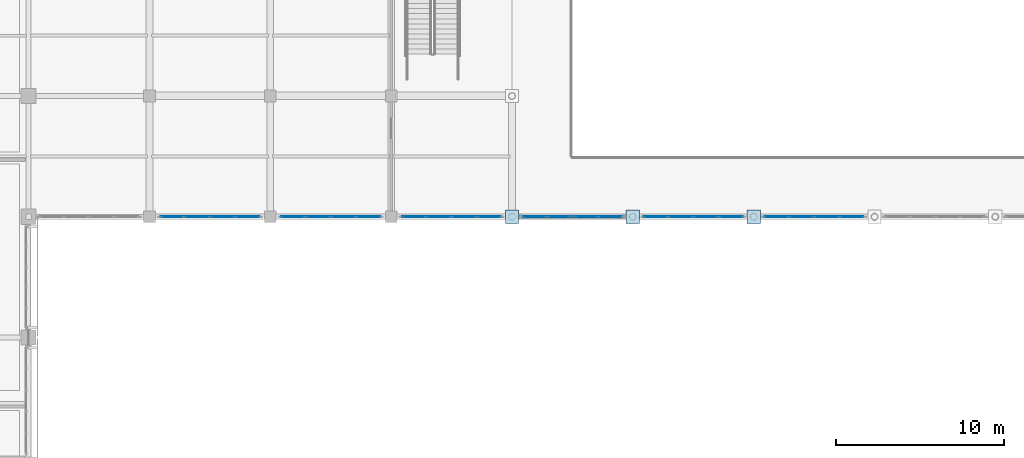
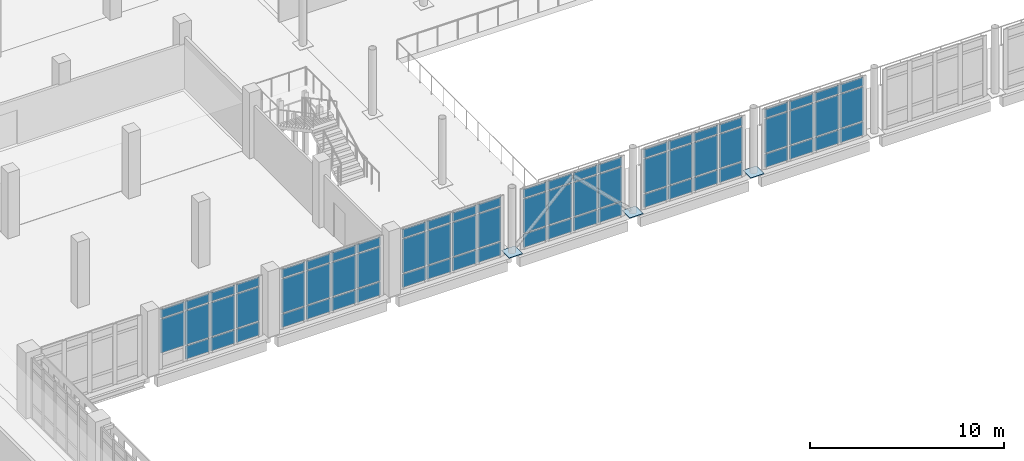
# One storey, part 28 of 62: 74 plates, 6 elements without a shape of their own.
"""IFC4 building model written with IfcOpenShell, lengths in metres."""

from ifc_helpers import new_model, si_unit, direction, frame, origin, origin_2d, place, context, subcontext, project, spatial, rectangle, extrude, material, layer, layer_set, type_object, element, aggregate, save


model = new_model("IFC4")

# Units and contexts
model_context = context("Model", 3, precision=1e-05, world=origin(), true_north=direction((0.0, 1.0)))
body_context = subcontext(model_context, "Body", "Model", "MODEL_VIEW")
ifc_project = project(units=[si_unit("LENGTHUNIT", "METRE"), si_unit("AREAUNIT", "SQUARE_METRE"), si_unit("VOLUMEUNIT", "CUBIC_METRE"), si_unit("PLANEANGLEUNIT", "RADIAN"), si_unit("MASSUNIT", "GRAM", prefix="KILO")], contexts=[model_context])

# Site, building, storey
site_placement = place(None, origin())
site = spatial("IfcSite", under=ifc_project, at=site_placement, CompositionType="ELEMENT")
building_placement = place(site_placement, origin())
building = spatial("IfcBuilding", under=site, at=building_placement, Name="Valkovuoma Quantum and Materials Research Institute", CompositionType="ELEMENT")
storey_placement = place(building_placement, frame((0.0, 0.0, 8.9599609375)))
storey = spatial("IfcBuildingStorey", under=building, at=storey_placement, Name="L02", CompositionType="ELEMENT", Elevation=8.9599609375)

# Curtain wall, plates
ifc_material_1 = material(Name="Thermally broken aluminium and triple low-E glazing", Category="aluminium")
ifc_layer_1 = layer(ifc_material_1, 0.219970703125)
ifc_layer_set_1 = layer_set([ifc_layer_1], Name="Thermally broken aluminium and triple low-E glazing")
curtain_wall_type = type_object("IfcCurtainWallType", Name="CW-CW-02", PredefinedType="NOTDEFINED", material=ifc_layer_set_1)
curtain_wall_1_placement = place(storey_placement, origin())
curtain_wall_1 = element("IfcCurtainWall", 1, at=curtain_wall_1_placement, inside=storey, type_object=curtain_wall_type, Name="L02 curtain wall 180", PredefinedType="NOTDEFINED")
ifc_material_2 = material(Name="Triple low-E argon insulating glass", Category="glass")
ifc_layer_2 = layer(ifc_material_2, 0.048095703125)
ifc_layer_set_2 = layer_set([ifc_layer_2], Name="Triple low-E argon insulating glass")
plate_type_1 = type_object("IfcPlateType", Name="CWPanel-CWP-03", PredefinedType="CURTAIN_PANEL", material=ifc_layer_set_2)
plate_1_placement = place(storey_placement, frame((22.955078125, 36.0, 0.9873046875), z_axis=(0.0, 0.0, 1.0), x_axis=(1.0, 0.0, 0.0)))
plate_1 = element("IfcPlate", 2, at=plate_1_placement, type_object=plate_type_1, Name="CW-02 panel 1.2", PredefinedType="CURTAIN_PANEL", context=body_context, shape_type="SweptSolid", body=[
    extrude(rectangle(XDim=1.389892578125, YDim=0.048095703125, at=origin_2d()), origin(), (0.0, 0.0, 1.0), 2.135009765625),
])
plate_2_placement = place(storey_placement, frame((22.955078125, 36.0, 3.197509765625), z_axis=(0.0, 0.0, 1.0), x_axis=(1.0, 0.0, 0.0)))
plate_2 = element("IfcPlate", 3, at=plate_2_placement, type_object=plate_type_1, Name="CW-02 panel 1.3", PredefinedType="CURTAIN_PANEL", context=body_context, shape_type="SweptSolid", body=[
    extrude(rectangle(XDim=1.389892578125, YDim=0.048095703125, at=origin_2d()), origin(), (0.0, 0.0, 1.0), 0.53759765625),
])
plate_3_placement = place(storey_placement, frame((24.445068359375, 36.0, 0.0751953125), z_axis=(0.0, 0.0, 1.0), x_axis=(1.0, 0.0, 0.0)))
plate_3 = element("IfcPlate", 4, at=plate_3_placement, type_object=plate_type_1, Name="CW-02 panel 2.1", PredefinedType="CURTAIN_PANEL", context=body_context, shape_type="SweptSolid", body=[
    extrude(rectangle(XDim=1.429931640625, YDim=0.048095703125, at=origin_2d()), origin(), (0.0, 0.0, 1.0), 0.83740234375),
])
plate_4_placement = place(storey_placement, frame((24.445068359375, 36.0, 0.9873046875), z_axis=(0.0, 0.0, 1.0), x_axis=(1.0, 0.0, 0.0)))
plate_4 = element("IfcPlate", 5, at=plate_4_placement, type_object=plate_type_1, Name="CW-02 panel 2.2", PredefinedType="CURTAIN_PANEL", context=body_context, shape_type="SweptSolid", body=[
    extrude(rectangle(XDim=1.429931640625, YDim=0.048095703125, at=origin_2d()), origin(), (0.0, 0.0, 1.0), 2.135009765625),
])
plate_5_placement = place(storey_placement, frame((24.445068359375, 36.0, 3.197509765625), z_axis=(0.0, 0.0, 1.0), x_axis=(1.0, 0.0, 0.0)))
plate_5 = element("IfcPlate", 6, at=plate_5_placement, type_object=plate_type_1, Name="CW-02 panel 2.3", PredefinedType="CURTAIN_PANEL", context=body_context, shape_type="SweptSolid", body=[
    extrude(rectangle(XDim=1.429931640625, YDim=0.048095703125, at=origin_2d()), origin(), (0.0, 0.0, 1.0), 0.53759765625),
])
plate_6_placement = place(storey_placement, frame((25.955078125, 36.0, 0.0751953125), z_axis=(0.0, 0.0, 1.0), x_axis=(1.0, 0.0, 0.0)))
plate_6 = element("IfcPlate", 7, at=plate_6_placement, type_object=plate_type_1, Name="CW-02 panel 3.1", PredefinedType="CURTAIN_PANEL", context=body_context, shape_type="SweptSolid", body=[
    extrude(rectangle(XDim=1.429931640625, YDim=0.048095703125, at=origin_2d()), origin(), (0.0, 0.0, 1.0), 0.83740234375),
])
plate_7_placement = place(storey_placement, frame((25.955078125, 36.0, 0.9873046875), z_axis=(0.0, 0.0, 1.0), x_axis=(1.0, 0.0, 0.0)))
plate_7 = element("IfcPlate", 8, at=plate_7_placement, type_object=plate_type_1, Name="CW-02 panel 3.2", PredefinedType="CURTAIN_PANEL", context=body_context, shape_type="SweptSolid", body=[
    extrude(rectangle(XDim=1.429931640625, YDim=0.048095703125, at=origin_2d()), origin(), (0.0, 0.0, 1.0), 2.135009765625),
])
plate_8_placement = place(storey_placement, frame((25.955078125, 36.0, 3.197509765625), z_axis=(0.0, 0.0, 1.0), x_axis=(1.0, 0.0, 0.0)))
plate_8 = element("IfcPlate", 9, at=plate_8_placement, type_object=plate_type_1, Name="CW-02 panel 3.3", PredefinedType="CURTAIN_PANEL", context=body_context, shape_type="SweptSolid", body=[
    extrude(rectangle(XDim=1.429931640625, YDim=0.048095703125, at=origin_2d()), origin(), (0.0, 0.0, 1.0), 0.53759765625),
])
plate_9_placement = place(storey_placement, frame((27.445068359375, 36.0, 0.0751953125), z_axis=(0.0, 0.0, 1.0), x_axis=(1.0, 0.0, 0.0)))
plate_9 = element("IfcPlate", 10, at=plate_9_placement, type_object=plate_type_1, Name="CW-02 panel 4.1", PredefinedType="CURTAIN_PANEL", context=body_context, shape_type="SweptSolid", body=[
    extrude(rectangle(XDim=1.389892578125, YDim=0.048095703125, at=origin_2d()), origin(), (0.0, 0.0, 1.0), 0.83740234375),
])
plate_10_placement = place(storey_placement, frame((27.445068359375, 36.0, 0.9873046875), z_axis=(0.0, 0.0, 1.0), x_axis=(1.0, 0.0, 0.0)))
plate_10 = element("IfcPlate", 11, at=plate_10_placement, type_object=plate_type_1, Name="CW-02 panel 4.2", PredefinedType="CURTAIN_PANEL", context=body_context, shape_type="SweptSolid", body=[
    extrude(rectangle(XDim=1.389892578125, YDim=0.048095703125, at=origin_2d()), origin(), (0.0, 0.0, 1.0), 2.135009765625),
])
plate_11_placement = place(storey_placement, frame((27.445068359375, 36.0, 3.197509765625), z_axis=(0.0, 0.0, 1.0), x_axis=(1.0, 0.0, 0.0)))
plate_11 = element("IfcPlate", 12, at=plate_11_placement, type_object=plate_type_1, Name="CW-02 panel 4.3", PredefinedType="CURTAIN_PANEL", context=body_context, shape_type="SweptSolid", body=[
    extrude(rectangle(XDim=1.389892578125, YDim=0.048095703125, at=origin_2d()), origin(), (0.0, 0.0, 1.0), 0.53759765625),
])
aggregate(curtain_wall_1, [plate_1, plate_2, plate_3, plate_4, plate_5, plate_6, plate_7, plate_8, plate_9, plate_10, plate_11])

curtain_wall_2_placement = place(storey_placement, origin())
curtain_wall_2 = element("IfcCurtainWall", 13, at=curtain_wall_2_placement, inside=storey, type_object=curtain_wall_type, Name="L02 curtain wall 181", PredefinedType="NOTDEFINED")
plate_12_placement = place(storey_placement, frame((30.155029296875, 36.0, 0.0751953125), z_axis=(0.0, 0.0, 1.0), x_axis=(1.0, 0.0, 0.0)))
plate_12 = element("IfcPlate", 14, at=plate_12_placement, type_object=plate_type_1, Name="CW-02 panel 1.1", PredefinedType="CURTAIN_PANEL", context=body_context, shape_type="SweptSolid", body=[
    extrude(rectangle(XDim=1.389892578125, YDim=0.048095703125, at=origin_2d()), origin(), (0.0, 0.0, 1.0), 0.83740234375),
])
plate_13_placement = place(storey_placement, frame((30.155029296875, 36.0, 0.9873046875), z_axis=(0.0, 0.0, 1.0), x_axis=(1.0, 0.0, 0.0)))
plate_13 = element("IfcPlate", 15, at=plate_13_placement, type_object=plate_type_1, Name="CW-02 panel 1.2", PredefinedType="CURTAIN_PANEL", context=body_context, shape_type="SweptSolid", body=[
    extrude(rectangle(XDim=1.389892578125, YDim=0.048095703125, at=origin_2d()), origin(), (0.0, 0.0, 1.0), 2.135009765625),
])
plate_14_placement = place(storey_placement, frame((30.155029296875, 36.0, 3.197509765625), z_axis=(0.0, 0.0, 1.0), x_axis=(1.0, 0.0, 0.0)))
plate_14 = element("IfcPlate", 16, at=plate_14_placement, type_object=plate_type_1, Name="CW-02 panel 1.3", PredefinedType="CURTAIN_PANEL", context=body_context, shape_type="SweptSolid", body=[
    extrude(rectangle(XDim=1.389892578125, YDim=0.048095703125, at=origin_2d()), origin(), (0.0, 0.0, 1.0), 0.53759765625),
])
plate_15_placement = place(storey_placement, frame((31.64501953125, 36.0, 0.0751953125), z_axis=(0.0, 0.0, 1.0), x_axis=(1.0, 0.0, 0.0)))
plate_15 = element("IfcPlate", 17, at=plate_15_placement, type_object=plate_type_1, Name="CW-02 panel 2.1", PredefinedType="CURTAIN_PANEL", context=body_context, shape_type="SweptSolid", body=[
    extrude(rectangle(XDim=1.429931640625, YDim=0.048095703125, at=origin_2d()), origin(), (0.0, 0.0, 1.0), 0.83740234375),
])
plate_16_placement = place(storey_placement, frame((31.64501953125, 36.0, 0.9873046875), z_axis=(0.0, 0.0, 1.0), x_axis=(1.0, 0.0, 0.0)))
plate_16 = element("IfcPlate", 18, at=plate_16_placement, type_object=plate_type_1, Name="CW-02 panel 2.2", PredefinedType="CURTAIN_PANEL", context=body_context, shape_type="SweptSolid", body=[
    extrude(rectangle(XDim=1.429931640625, YDim=0.048095703125, at=origin_2d()), origin(), (0.0, 0.0, 1.0), 2.135009765625),
])
plate_17_placement = place(storey_placement, frame((31.64501953125, 36.0, 3.197509765625), z_axis=(0.0, 0.0, 1.0), x_axis=(1.0, 0.0, 0.0)))
plate_17 = element("IfcPlate", 19, at=plate_17_placement, type_object=plate_type_1, Name="CW-02 panel 2.3", PredefinedType="CURTAIN_PANEL", context=body_context, shape_type="SweptSolid", body=[
    extrude(rectangle(XDim=1.429931640625, YDim=0.048095703125, at=origin_2d()), origin(), (0.0, 0.0, 1.0), 0.53759765625),
])
plate_18_placement = place(storey_placement, frame((33.155029296875, 36.0, 0.0751953125), z_axis=(0.0, 0.0, 1.0), x_axis=(1.0, 0.0, 0.0)))
plate_18 = element("IfcPlate", 20, at=plate_18_placement, type_object=plate_type_1, Name="CW-02 panel 3.1", PredefinedType="CURTAIN_PANEL", context=body_context, shape_type="SweptSolid", body=[
    extrude(rectangle(XDim=1.429931640625, YDim=0.048095703125, at=origin_2d()), origin(), (0.0, 0.0, 1.0), 0.83740234375),
])
plate_19_placement = place(storey_placement, frame((33.155029296875, 36.0, 0.9873046875), z_axis=(0.0, 0.0, 1.0), x_axis=(1.0, 0.0, 0.0)))
plate_19 = element("IfcPlate", 21, at=plate_19_placement, type_object=plate_type_1, Name="CW-02 panel 3.2", PredefinedType="CURTAIN_PANEL", context=body_context, shape_type="SweptSolid", body=[
    extrude(rectangle(XDim=1.429931640625, YDim=0.048095703125, at=origin_2d()), origin(), (0.0, 0.0, 1.0), 2.135009765625),
])
plate_20_placement = place(storey_placement, frame((33.155029296875, 36.0, 3.197509765625), z_axis=(0.0, 0.0, 1.0), x_axis=(1.0, 0.0, 0.0)))
plate_20 = element("IfcPlate", 22, at=plate_20_placement, type_object=plate_type_1, Name="CW-02 panel 3.3", PredefinedType="CURTAIN_PANEL", context=body_context, shape_type="SweptSolid", body=[
    extrude(rectangle(XDim=1.429931640625, YDim=0.048095703125, at=origin_2d()), origin(), (0.0, 0.0, 1.0), 0.53759765625),
])
plate_21_placement = place(storey_placement, frame((34.64501953125, 36.0, 0.0751953125), z_axis=(0.0, 0.0, 1.0), x_axis=(1.0, 0.0, 0.0)))
plate_21 = element("IfcPlate", 23, at=plate_21_placement, type_object=plate_type_1, Name="CW-02 panel 4.1", PredefinedType="CURTAIN_PANEL", context=body_context, shape_type="SweptSolid", body=[
    extrude(rectangle(XDim=1.389892578125, YDim=0.048095703125, at=origin_2d()), origin(), (0.0, 0.0, 1.0), 0.83740234375),
])
plate_22_placement = place(storey_placement, frame((34.64501953125, 36.0, 0.9873046875), z_axis=(0.0, 0.0, 1.0), x_axis=(1.0, 0.0, 0.0)))
plate_22 = element("IfcPlate", 24, at=plate_22_placement, type_object=plate_type_1, Name="CW-02 panel 4.2", PredefinedType="CURTAIN_PANEL", context=body_context, shape_type="SweptSolid", body=[
    extrude(rectangle(XDim=1.389892578125, YDim=0.048095703125, at=origin_2d()), origin(), (0.0, 0.0, 1.0), 2.135009765625),
])
plate_23_placement = place(storey_placement, frame((34.64501953125, 36.0, 3.197509765625), z_axis=(0.0, 0.0, 1.0), x_axis=(1.0, 0.0, 0.0)))
plate_23 = element("IfcPlate", 25, at=plate_23_placement, type_object=plate_type_1, Name="CW-02 panel 4.3", PredefinedType="CURTAIN_PANEL", context=body_context, shape_type="SweptSolid", body=[
    extrude(rectangle(XDim=1.389892578125, YDim=0.048095703125, at=origin_2d()), origin(), (0.0, 0.0, 1.0), 0.53759765625),
])
aggregate(curtain_wall_2, [plate_12, plate_13, plate_14, plate_15, plate_16, plate_17, plate_18, plate_19, plate_20, plate_21, plate_22, plate_23])

curtain_wall_3_placement = place(storey_placement, origin())
curtain_wall_3 = element("IfcCurtainWall", 26, at=curtain_wall_3_placement, inside=storey, type_object=curtain_wall_type, Name="L02 curtain wall 182", PredefinedType="NOTDEFINED")
plate_24_placement = place(storey_placement, frame((37.35498046875, 36.0, 0.0751953125), z_axis=(0.0, 0.0, 1.0), x_axis=(1.0, 0.0, 0.0)))
plate_24 = element("IfcPlate", 27, at=plate_24_placement, type_object=plate_type_1, Name="CW-02 panel 1.1", PredefinedType="CURTAIN_PANEL", context=body_context, shape_type="SweptSolid", body=[
    extrude(rectangle(XDim=1.389892578125, YDim=0.048095703125, at=origin_2d()), origin(), (0.0, 0.0, 1.0), 0.83740234375),
])
plate_25_placement = place(storey_placement, frame((37.35498046875, 36.0, 0.9873046875), z_axis=(0.0, 0.0, 1.0), x_axis=(1.0, 0.0, 0.0)))
plate_25 = element("IfcPlate", 28, at=plate_25_placement, type_object=plate_type_1, Name="CW-02 panel 1.2", PredefinedType="CURTAIN_PANEL", context=body_context, shape_type="SweptSolid", body=[
    extrude(rectangle(XDim=1.389892578125, YDim=0.048095703125, at=origin_2d()), origin(), (0.0, 0.0, 1.0), 2.135009765625),
])
plate_26_placement = place(storey_placement, frame((37.35498046875, 36.0, 3.197509765625), z_axis=(0.0, 0.0, 1.0), x_axis=(1.0, 0.0, 0.0)))
plate_26 = element("IfcPlate", 29, at=plate_26_placement, type_object=plate_type_1, Name="CW-02 panel 1.3", PredefinedType="CURTAIN_PANEL", context=body_context, shape_type="SweptSolid", body=[
    extrude(rectangle(XDim=1.389892578125, YDim=0.048095703125, at=origin_2d()), origin(), (0.0, 0.0, 1.0), 0.53759765625),
])
plate_27_placement = place(storey_placement, frame((38.844970703125, 36.0, 0.0751953125), z_axis=(0.0, 0.0, 1.0), x_axis=(1.0, 0.0, 0.0)))
plate_27 = element("IfcPlate", 30, at=plate_27_placement, type_object=plate_type_1, Name="CW-02 panel 2.1", PredefinedType="CURTAIN_PANEL", context=body_context, shape_type="SweptSolid", body=[
    extrude(rectangle(XDim=1.429931640625, YDim=0.048095703125, at=origin_2d()), origin(), (0.0, 0.0, 1.0), 0.83740234375),
])
plate_28_placement = place(storey_placement, frame((38.844970703125, 36.0, 0.9873046875), z_axis=(0.0, 0.0, 1.0), x_axis=(1.0, 0.0, 0.0)))
plate_28 = element("IfcPlate", 31, at=plate_28_placement, type_object=plate_type_1, Name="CW-02 panel 2.2", PredefinedType="CURTAIN_PANEL", context=body_context, shape_type="SweptSolid", body=[
    extrude(rectangle(XDim=1.429931640625, YDim=0.048095703125, at=origin_2d()), origin(), (0.0, 0.0, 1.0), 2.135009765625),
])
plate_29_placement = place(storey_placement, frame((38.844970703125, 36.0, 3.197509765625), z_axis=(0.0, 0.0, 1.0), x_axis=(1.0, 0.0, 0.0)))
plate_29 = element("IfcPlate", 32, at=plate_29_placement, type_object=plate_type_1, Name="CW-02 panel 2.3", PredefinedType="CURTAIN_PANEL", context=body_context, shape_type="SweptSolid", body=[
    extrude(rectangle(XDim=1.429931640625, YDim=0.048095703125, at=origin_2d()), origin(), (0.0, 0.0, 1.0), 0.53759765625),
])
plate_30_placement = place(storey_placement, frame((40.35498046875, 36.0, 0.0751953125), z_axis=(0.0, 0.0, 1.0), x_axis=(1.0, 0.0, 0.0)))
plate_30 = element("IfcPlate", 33, at=plate_30_placement, type_object=plate_type_1, Name="CW-02 panel 3.1", PredefinedType="CURTAIN_PANEL", context=body_context, shape_type="SweptSolid", body=[
    extrude(rectangle(XDim=1.429931640625, YDim=0.048095703125, at=origin_2d()), origin(), (0.0, 0.0, 1.0), 0.83740234375),
])
plate_31_placement = place(storey_placement, frame((40.35498046875, 36.0, 0.9873046875), z_axis=(0.0, 0.0, 1.0), x_axis=(1.0, 0.0, 0.0)))
plate_31 = element("IfcPlate", 34, at=plate_31_placement, type_object=plate_type_1, Name="CW-02 panel 3.2", PredefinedType="CURTAIN_PANEL", context=body_context, shape_type="SweptSolid", body=[
    extrude(rectangle(XDim=1.429931640625, YDim=0.048095703125, at=origin_2d()), origin(), (0.0, 0.0, 1.0), 2.135009765625),
])
plate_32_placement = place(storey_placement, frame((40.35498046875, 36.0, 3.197509765625), z_axis=(0.0, 0.0, 1.0), x_axis=(1.0, 0.0, 0.0)))
plate_32 = element("IfcPlate", 35, at=plate_32_placement, type_object=plate_type_1, Name="CW-02 panel 3.3", PredefinedType="CURTAIN_PANEL", context=body_context, shape_type="SweptSolid", body=[
    extrude(rectangle(XDim=1.429931640625, YDim=0.048095703125, at=origin_2d()), origin(), (0.0, 0.0, 1.0), 0.53759765625),
])
plate_33_placement = place(storey_placement, frame((41.844970703125, 36.0, 0.0751953125), z_axis=(0.0, 0.0, 1.0), x_axis=(1.0, 0.0, 0.0)))
plate_33 = element("IfcPlate", 36, at=plate_33_placement, type_object=plate_type_1, Name="CW-02 panel 4.1", PredefinedType="CURTAIN_PANEL", context=body_context, shape_type="SweptSolid", body=[
    extrude(rectangle(XDim=1.389892578125, YDim=0.048095703125, at=origin_2d()), origin(), (0.0, 0.0, 1.0), 0.83740234375),
])
plate_34_placement = place(storey_placement, frame((41.844970703125, 36.0, 0.9873046875), z_axis=(0.0, 0.0, 1.0), x_axis=(1.0, 0.0, 0.0)))
plate_34 = element("IfcPlate", 37, at=plate_34_placement, type_object=plate_type_1, Name="CW-02 panel 4.2", PredefinedType="CURTAIN_PANEL", context=body_context, shape_type="SweptSolid", body=[
    extrude(rectangle(XDim=1.389892578125, YDim=0.048095703125, at=origin_2d()), origin(), (0.0, 0.0, 1.0), 2.135009765625),
])
plate_35_placement = place(storey_placement, frame((41.844970703125, 36.0, 3.197509765625), z_axis=(0.0, 0.0, 1.0), x_axis=(1.0, 0.0, 0.0)))
plate_35 = element("IfcPlate", 38, at=plate_35_placement, type_object=plate_type_1, Name="CW-02 panel 4.3", PredefinedType="CURTAIN_PANEL", context=body_context, shape_type="SweptSolid", body=[
    extrude(rectangle(XDim=1.389892578125, YDim=0.048095703125, at=origin_2d()), origin(), (0.0, 0.0, 1.0), 0.53759765625),
])
aggregate(curtain_wall_3, [plate_24, plate_25, plate_26, plate_27, plate_28, plate_29, plate_30, plate_31, plate_32, plate_33, plate_34, plate_35])

curtain_wall_4_placement = place(storey_placement, origin())
curtain_wall_4 = element("IfcCurtainWall", 39, at=curtain_wall_4_placement, inside=storey, type_object=curtain_wall_type, Name="L02 curtain wall 183", PredefinedType="NOTDEFINED")
plate_36_placement = place(storey_placement, frame((44.554931640625, 36.0, 0.0751953125), z_axis=(0.0, 0.0, 1.0), x_axis=(1.0, 0.0, 0.0)))
plate_36 = element("IfcPlate", 40, at=plate_36_placement, type_object=plate_type_1, Name="CW-02 panel 1.1", PredefinedType="CURTAIN_PANEL", context=body_context, shape_type="SweptSolid", body=[
    extrude(rectangle(XDim=1.389892578125, YDim=0.048095703125, at=origin_2d()), origin(), (0.0, 0.0, 1.0), 0.83740234375),
])
plate_37_placement = place(storey_placement, frame((44.554931640625, 36.0, 0.9873046875), z_axis=(0.0, 0.0, 1.0), x_axis=(1.0, 0.0, 0.0)))
plate_37 = element("IfcPlate", 41, at=plate_37_placement, type_object=plate_type_1, Name="CW-02 panel 1.2", PredefinedType="CURTAIN_PANEL", context=body_context, shape_type="SweptSolid", body=[
    extrude(rectangle(XDim=1.389892578125, YDim=0.048095703125, at=origin_2d()), origin(), (0.0, 0.0, 1.0), 2.135009765625),
])
plate_38_placement = place(storey_placement, frame((44.554931640625, 36.0, 3.197509765625), z_axis=(0.0, 0.0, 1.0), x_axis=(1.0, 0.0, 0.0)))
plate_38 = element("IfcPlate", 42, at=plate_38_placement, type_object=plate_type_1, Name="CW-02 panel 1.3", PredefinedType="CURTAIN_PANEL", context=body_context, shape_type="SweptSolid", body=[
    extrude(rectangle(XDim=1.389892578125, YDim=0.048095703125, at=origin_2d()), origin(), (0.0, 0.0, 1.0), 0.53759765625),
])
plate_39_placement = place(storey_placement, frame((46.044921875, 36.0, 0.0751953125), z_axis=(0.0, 0.0, 1.0), x_axis=(1.0, 0.0, 0.0)))
plate_39 = element("IfcPlate", 43, at=plate_39_placement, type_object=plate_type_1, Name="CW-02 panel 2.1", PredefinedType="CURTAIN_PANEL", context=body_context, shape_type="SweptSolid", body=[
    extrude(rectangle(XDim=1.429931640625, YDim=0.048095703125, at=origin_2d()), origin(), (0.0, 0.0, 1.0), 0.83740234375),
])
plate_40_placement = place(storey_placement, frame((46.044921875, 36.0, 0.9873046875), z_axis=(0.0, 0.0, 1.0), x_axis=(1.0, 0.0, 0.0)))
plate_40 = element("IfcPlate", 44, at=plate_40_placement, type_object=plate_type_1, Name="CW-02 panel 2.2", PredefinedType="CURTAIN_PANEL", context=body_context, shape_type="SweptSolid", body=[
    extrude(rectangle(XDim=1.429931640625, YDim=0.048095703125, at=origin_2d()), origin(), (0.0, 0.0, 1.0), 2.135009765625),
])
plate_41_placement = place(storey_placement, frame((46.044921875, 36.0, 3.197509765625), z_axis=(0.0, 0.0, 1.0), x_axis=(1.0, 0.0, 0.0)))
plate_41 = element("IfcPlate", 45, at=plate_41_placement, type_object=plate_type_1, Name="CW-02 panel 2.3", PredefinedType="CURTAIN_PANEL", context=body_context, shape_type="SweptSolid", body=[
    extrude(rectangle(XDim=1.429931640625, YDim=0.048095703125, at=origin_2d()), origin(), (0.0, 0.0, 1.0), 0.53759765625),
])
plate_42_placement = place(storey_placement, frame((47.554931640625, 36.0, 0.0751953125), z_axis=(0.0, 0.0, 1.0), x_axis=(1.0, 0.0, 0.0)))
plate_42 = element("IfcPlate", 46, at=plate_42_placement, type_object=plate_type_1, Name="CW-02 panel 3.1", PredefinedType="CURTAIN_PANEL", context=body_context, shape_type="SweptSolid", body=[
    extrude(rectangle(XDim=1.429931640625, YDim=0.048095703125, at=origin_2d()), origin(), (0.0, 0.0, 1.0), 0.83740234375),
])
plate_43_placement = place(storey_placement, frame((47.554931640625, 36.0, 0.9873046875), z_axis=(0.0, 0.0, 1.0), x_axis=(1.0, 0.0, 0.0)))
plate_43 = element("IfcPlate", 47, at=plate_43_placement, type_object=plate_type_1, Name="CW-02 panel 3.2", PredefinedType="CURTAIN_PANEL", context=body_context, shape_type="SweptSolid", body=[
    extrude(rectangle(XDim=1.429931640625, YDim=0.048095703125, at=origin_2d()), origin(), (0.0, 0.0, 1.0), 2.135009765625),
])
plate_44_placement = place(storey_placement, frame((47.554931640625, 36.0, 3.197509765625), z_axis=(0.0, 0.0, 1.0), x_axis=(1.0, 0.0, 0.0)))
plate_44 = element("IfcPlate", 48, at=plate_44_placement, type_object=plate_type_1, Name="CW-02 panel 3.3", PredefinedType="CURTAIN_PANEL", context=body_context, shape_type="SweptSolid", body=[
    extrude(rectangle(XDim=1.429931640625, YDim=0.048095703125, at=origin_2d()), origin(), (0.0, 0.0, 1.0), 0.53759765625),
])
plate_45_placement = place(storey_placement, frame((49.044921875, 36.0, 0.0751953125), z_axis=(0.0, 0.0, 1.0), x_axis=(1.0, 0.0, 0.0)))
plate_45 = element("IfcPlate", 49, at=plate_45_placement, type_object=plate_type_1, Name="CW-02 panel 4.1", PredefinedType="CURTAIN_PANEL", context=body_context, shape_type="SweptSolid", body=[
    extrude(rectangle(XDim=1.389892578125, YDim=0.048095703125, at=origin_2d()), origin(), (0.0, 0.0, 1.0), 0.83740234375),
])
plate_46_placement = place(storey_placement, frame((49.044921875, 36.0, 0.9873046875), z_axis=(0.0, 0.0, 1.0), x_axis=(1.0, 0.0, 0.0)))
plate_46 = element("IfcPlate", 50, at=plate_46_placement, type_object=plate_type_1, Name="CW-02 panel 4.2", PredefinedType="CURTAIN_PANEL", context=body_context, shape_type="SweptSolid", body=[
    extrude(rectangle(XDim=1.389892578125, YDim=0.048095703125, at=origin_2d()), origin(), (0.0, 0.0, 1.0), 2.135009765625),
])
plate_47_placement = place(storey_placement, frame((49.044921875, 36.0, 3.197509765625), z_axis=(0.0, 0.0, 1.0), x_axis=(1.0, 0.0, 0.0)))
plate_47 = element("IfcPlate", 51, at=plate_47_placement, type_object=plate_type_1, Name="CW-02 panel 4.3", PredefinedType="CURTAIN_PANEL", context=body_context, shape_type="SweptSolid", body=[
    extrude(rectangle(XDim=1.389892578125, YDim=0.048095703125, at=origin_2d()), origin(), (0.0, 0.0, 1.0), 0.53759765625),
])
aggregate(curtain_wall_4, [plate_36, plate_37, plate_38, plate_39, plate_40, plate_41, plate_42, plate_43, plate_44, plate_45, plate_46, plate_47])

curtain_wall_5_placement = place(storey_placement, origin())
curtain_wall_5 = element("IfcCurtainWall", 52, at=curtain_wall_5_placement, inside=storey, type_object=curtain_wall_type, Name="L02 curtain wall 184", PredefinedType="NOTDEFINED")
plate_48_placement = place(storey_placement, frame((51.7548828125, 36.0, 0.0751953125), z_axis=(0.0, 0.0, 1.0), x_axis=(1.0, 0.0, 0.0)))
plate_48 = element("IfcPlate", 53, at=plate_48_placement, type_object=plate_type_1, Name="CW-02 panel 1.1", PredefinedType="CURTAIN_PANEL", context=body_context, shape_type="SweptSolid", body=[
    extrude(rectangle(XDim=1.389892578125, YDim=0.048095703125, at=origin_2d()), origin(), (0.0, 0.0, 1.0), 0.83740234375),
])
plate_49_placement = place(storey_placement, frame((51.7548828125, 36.0, 0.9873046875), z_axis=(0.0, 0.0, 1.0), x_axis=(1.0, 0.0, 0.0)))
plate_49 = element("IfcPlate", 54, at=plate_49_placement, type_object=plate_type_1, Name="CW-02 panel 1.2", PredefinedType="CURTAIN_PANEL", context=body_context, shape_type="SweptSolid", body=[
    extrude(rectangle(XDim=1.389892578125, YDim=0.048095703125, at=origin_2d()), origin(), (0.0, 0.0, 1.0), 2.135009765625),
])
plate_50_placement = place(storey_placement, frame((51.7548828125, 36.0, 3.197509765625), z_axis=(0.0, 0.0, 1.0), x_axis=(1.0, 0.0, 0.0)))
plate_50 = element("IfcPlate", 55, at=plate_50_placement, type_object=plate_type_1, Name="CW-02 panel 1.3", PredefinedType="CURTAIN_PANEL", context=body_context, shape_type="SweptSolid", body=[
    extrude(rectangle(XDim=1.389892578125, YDim=0.048095703125, at=origin_2d()), origin(), (0.0, 0.0, 1.0), 0.53759765625),
])
plate_51_placement = place(storey_placement, frame((53.2451171875, 36.0, 0.0751953125), z_axis=(0.0, 0.0, 1.0), x_axis=(1.0, 0.0, 0.0)))
plate_51 = element("IfcPlate", 56, at=plate_51_placement, type_object=plate_type_1, Name="CW-02 panel 2.1", PredefinedType="CURTAIN_PANEL", context=body_context, shape_type="SweptSolid", body=[
    extrude(rectangle(XDim=1.429931640625, YDim=0.048095703125, at=origin_2d()), origin(), (0.0, 0.0, 1.0), 0.83740234375),
])
plate_52_placement = place(storey_placement, frame((53.2451171875, 36.0, 0.9873046875), z_axis=(0.0, 0.0, 1.0), x_axis=(1.0, 0.0, 0.0)))
plate_52 = element("IfcPlate", 57, at=plate_52_placement, type_object=plate_type_1, Name="CW-02 panel 2.2", PredefinedType="CURTAIN_PANEL", context=body_context, shape_type="SweptSolid", body=[
    extrude(rectangle(XDim=1.429931640625, YDim=0.048095703125, at=origin_2d()), origin(), (0.0, 0.0, 1.0), 2.135009765625),
])
plate_53_placement = place(storey_placement, frame((53.2451171875, 36.0, 3.197509765625), z_axis=(0.0, 0.0, 1.0), x_axis=(1.0, 0.0, 0.0)))
plate_53 = element("IfcPlate", 58, at=plate_53_placement, type_object=plate_type_1, Name="CW-02 panel 2.3", PredefinedType="CURTAIN_PANEL", context=body_context, shape_type="SweptSolid", body=[
    extrude(rectangle(XDim=1.429931640625, YDim=0.048095703125, at=origin_2d()), origin(), (0.0, 0.0, 1.0), 0.53759765625),
])
plate_54_placement = place(storey_placement, frame((54.7548828125, 36.0, 0.0751953125), z_axis=(0.0, 0.0, 1.0), x_axis=(1.0, 0.0, 0.0)))
plate_54 = element("IfcPlate", 59, at=plate_54_placement, type_object=plate_type_1, Name="CW-02 panel 3.1", PredefinedType="CURTAIN_PANEL", context=body_context, shape_type="SweptSolid", body=[
    extrude(rectangle(XDim=1.429931640625, YDim=0.048095703125, at=origin_2d()), origin(), (0.0, 0.0, 1.0), 0.83740234375),
])
plate_55_placement = place(storey_placement, frame((54.7548828125, 36.0, 0.9873046875), z_axis=(0.0, 0.0, 1.0), x_axis=(1.0, 0.0, 0.0)))
plate_55 = element("IfcPlate", 60, at=plate_55_placement, type_object=plate_type_1, Name="CW-02 panel 3.2", PredefinedType="CURTAIN_PANEL", context=body_context, shape_type="SweptSolid", body=[
    extrude(rectangle(XDim=1.429931640625, YDim=0.048095703125, at=origin_2d()), origin(), (0.0, 0.0, 1.0), 2.135009765625),
])
plate_56_placement = place(storey_placement, frame((54.7548828125, 36.0, 3.197509765625), z_axis=(0.0, 0.0, 1.0), x_axis=(1.0, 0.0, 0.0)))
plate_56 = element("IfcPlate", 61, at=plate_56_placement, type_object=plate_type_1, Name="CW-02 panel 3.3", PredefinedType="CURTAIN_PANEL", context=body_context, shape_type="SweptSolid", body=[
    extrude(rectangle(XDim=1.429931640625, YDim=0.048095703125, at=origin_2d()), origin(), (0.0, 0.0, 1.0), 0.53759765625),
])
plate_57_placement = place(storey_placement, frame((56.2451171875, 36.0, 0.0751953125), z_axis=(0.0, 0.0, 1.0), x_axis=(1.0, 0.0, 0.0)))
plate_57 = element("IfcPlate", 62, at=plate_57_placement, type_object=plate_type_1, Name="CW-02 panel 4.1", PredefinedType="CURTAIN_PANEL", context=body_context, shape_type="SweptSolid", body=[
    extrude(rectangle(XDim=1.389892578125, YDim=0.048095703125, at=origin_2d()), origin(), (0.0, 0.0, 1.0), 0.83740234375),
])
plate_58_placement = place(storey_placement, frame((56.2451171875, 36.0, 0.9873046875), z_axis=(0.0, 0.0, 1.0), x_axis=(1.0, 0.0, 0.0)))
plate_58 = element("IfcPlate", 63, at=plate_58_placement, type_object=plate_type_1, Name="CW-02 panel 4.2", PredefinedType="CURTAIN_PANEL", context=body_context, shape_type="SweptSolid", body=[
    extrude(rectangle(XDim=1.389892578125, YDim=0.048095703125, at=origin_2d()), origin(), (0.0, 0.0, 1.0), 2.135009765625),
])
plate_59_placement = place(storey_placement, frame((56.2451171875, 36.0, 3.197509765625), z_axis=(0.0, 0.0, 1.0), x_axis=(1.0, 0.0, 0.0)))
plate_59 = element("IfcPlate", 64, at=plate_59_placement, type_object=plate_type_1, Name="CW-02 panel 4.3", PredefinedType="CURTAIN_PANEL", context=body_context, shape_type="SweptSolid", body=[
    extrude(rectangle(XDim=1.389892578125, YDim=0.048095703125, at=origin_2d()), origin(), (0.0, 0.0, 1.0), 0.53759765625),
])
aggregate(curtain_wall_5, [plate_48, plate_49, plate_50, plate_51, plate_52, plate_53, plate_54, plate_55, plate_56, plate_57, plate_58, plate_59])

curtain_wall_6_placement = place(storey_placement, origin())
curtain_wall_6 = element("IfcCurtainWall", 65, at=curtain_wall_6_placement, inside=storey, type_object=curtain_wall_type, Name="L02 curtain wall 185", PredefinedType="NOTDEFINED")
plate_60_placement = place(storey_placement, frame((58.955078125, 36.0, 0.0751953125), z_axis=(0.0, 0.0, 1.0), x_axis=(1.0, 0.0, 0.0)))
plate_60 = element("IfcPlate", 66, at=plate_60_placement, type_object=plate_type_1, Name="CW-02 panel 1.1", PredefinedType="CURTAIN_PANEL", context=body_context, shape_type="SweptSolid", body=[
    extrude(rectangle(XDim=1.389892578125, YDim=0.048095703125, at=origin_2d()), origin(), (0.0, 0.0, 1.0), 0.83740234375),
])
plate_61_placement = place(storey_placement, frame((58.955078125, 36.0, 0.9873046875), z_axis=(0.0, 0.0, 1.0), x_axis=(1.0, 0.0, 0.0)))
plate_61 = element("IfcPlate", 67, at=plate_61_placement, type_object=plate_type_1, Name="CW-02 panel 1.2", PredefinedType="CURTAIN_PANEL", context=body_context, shape_type="SweptSolid", body=[
    extrude(rectangle(XDim=1.389892578125, YDim=0.048095703125, at=origin_2d()), origin(), (0.0, 0.0, 1.0), 2.135009765625),
])
plate_62_placement = place(storey_placement, frame((58.955078125, 36.0, 3.197509765625), z_axis=(0.0, 0.0, 1.0), x_axis=(1.0, 0.0, 0.0)))
plate_62 = element("IfcPlate", 68, at=plate_62_placement, type_object=plate_type_1, Name="CW-02 panel 1.3", PredefinedType="CURTAIN_PANEL", context=body_context, shape_type="SweptSolid", body=[
    extrude(rectangle(XDim=1.389892578125, YDim=0.048095703125, at=origin_2d()), origin(), (0.0, 0.0, 1.0), 0.53759765625),
])
plate_63_placement = place(storey_placement, frame((60.445068359375, 36.0, 0.0751953125), z_axis=(0.0, 0.0, 1.0), x_axis=(1.0, 0.0, 0.0)))
plate_63 = element("IfcPlate", 69, at=plate_63_placement, type_object=plate_type_1, Name="CW-02 panel 2.1", PredefinedType="CURTAIN_PANEL", context=body_context, shape_type="SweptSolid", body=[
    extrude(rectangle(XDim=1.429931640625, YDim=0.048095703125, at=origin_2d()), origin(), (0.0, 0.0, 1.0), 0.83740234375),
])
plate_64_placement = place(storey_placement, frame((60.445068359375, 36.0, 0.9873046875), z_axis=(0.0, 0.0, 1.0), x_axis=(1.0, 0.0, 0.0)))
plate_64 = element("IfcPlate", 70, at=plate_64_placement, type_object=plate_type_1, Name="CW-02 panel 2.2", PredefinedType="CURTAIN_PANEL", context=body_context, shape_type="SweptSolid", body=[
    extrude(rectangle(XDim=1.429931640625, YDim=0.048095703125, at=origin_2d()), origin(), (0.0, 0.0, 1.0), 2.135009765625),
])
plate_65_placement = place(storey_placement, frame((60.445068359375, 36.0, 3.197509765625), z_axis=(0.0, 0.0, 1.0), x_axis=(1.0, 0.0, 0.0)))
plate_65 = element("IfcPlate", 71, at=plate_65_placement, type_object=plate_type_1, Name="CW-02 panel 2.3", PredefinedType="CURTAIN_PANEL", context=body_context, shape_type="SweptSolid", body=[
    extrude(rectangle(XDim=1.429931640625, YDim=0.048095703125, at=origin_2d()), origin(), (0.0, 0.0, 1.0), 0.53759765625),
])
plate_66_placement = place(storey_placement, frame((61.955078125, 36.0, 0.0751953125), z_axis=(0.0, 0.0, 1.0), x_axis=(1.0, 0.0, 0.0)))
plate_66 = element("IfcPlate", 72, at=plate_66_placement, type_object=plate_type_1, Name="CW-02 panel 3.1", PredefinedType="CURTAIN_PANEL", context=body_context, shape_type="SweptSolid", body=[
    extrude(rectangle(XDim=1.429931640625, YDim=0.048095703125, at=origin_2d()), origin(), (0.0, 0.0, 1.0), 0.83740234375),
])
plate_67_placement = place(storey_placement, frame((61.955078125, 36.0, 0.9873046875), z_axis=(0.0, 0.0, 1.0), x_axis=(1.0, 0.0, 0.0)))
plate_67 = element("IfcPlate", 73, at=plate_67_placement, type_object=plate_type_1, Name="CW-02 panel 3.2", PredefinedType="CURTAIN_PANEL", context=body_context, shape_type="SweptSolid", body=[
    extrude(rectangle(XDim=1.429931640625, YDim=0.048095703125, at=origin_2d()), origin(), (0.0, 0.0, 1.0), 2.135009765625),
])
plate_68_placement = place(storey_placement, frame((61.955078125, 36.0, 3.197509765625), z_axis=(0.0, 0.0, 1.0), x_axis=(1.0, 0.0, 0.0)))
plate_68 = element("IfcPlate", 74, at=plate_68_placement, type_object=plate_type_1, Name="CW-02 panel 3.3", PredefinedType="CURTAIN_PANEL", context=body_context, shape_type="SweptSolid", body=[
    extrude(rectangle(XDim=1.429931640625, YDim=0.048095703125, at=origin_2d()), origin(), (0.0, 0.0, 1.0), 0.53759765625),
])
plate_69_placement = place(storey_placement, frame((63.445068359375, 36.0, 0.0751953125), z_axis=(0.0, 0.0, 1.0), x_axis=(1.0, 0.0, 0.0)))
plate_69 = element("IfcPlate", 75, at=plate_69_placement, type_object=plate_type_1, Name="CW-02 panel 4.1", PredefinedType="CURTAIN_PANEL", context=body_context, shape_type="SweptSolid", body=[
    extrude(rectangle(XDim=1.389892578125, YDim=0.048095703125, at=origin_2d()), origin(), (0.0, 0.0, 1.0), 0.83740234375),
])
plate_70_placement = place(storey_placement, frame((63.445068359375, 36.0, 0.9873046875), z_axis=(0.0, 0.0, 1.0), x_axis=(1.0, 0.0, 0.0)))
plate_70 = element("IfcPlate", 76, at=plate_70_placement, type_object=plate_type_1, Name="CW-02 panel 4.2", PredefinedType="CURTAIN_PANEL", context=body_context, shape_type="SweptSolid", body=[
    extrude(rectangle(XDim=1.389892578125, YDim=0.048095703125, at=origin_2d()), origin(), (0.0, 0.0, 1.0), 2.135009765625),
])
plate_71_placement = place(storey_placement, frame((63.445068359375, 36.0, 3.197509765625), z_axis=(0.0, 0.0, 1.0), x_axis=(1.0, 0.0, 0.0)))
plate_71 = element("IfcPlate", 77, at=plate_71_placement, type_object=plate_type_1, Name="CW-02 panel 4.3", PredefinedType="CURTAIN_PANEL", context=body_context, shape_type="SweptSolid", body=[
    extrude(rectangle(XDim=1.389892578125, YDim=0.048095703125, at=origin_2d()), origin(), (0.0, 0.0, 1.0), 0.53759765625),
])
aggregate(curtain_wall_6, [plate_60, plate_61, plate_62, plate_63, plate_64, plate_65, plate_66, plate_67, plate_68, plate_69, plate_70, plate_71])

# Plates
ifc_material_3 = material(Name="Steel S355J2", Category="steel")
plate_type_2 = type_object("IfcPlateType", Name="Plate-PL-BAS2", PredefinedType="USERDEFINED", material=ifc_material_3)
for number, where, z_axis, x_axis, name in (
    (78, (43.199951171875, 36.0, 0.0), (0.0, 0.0, 1.0), (1.0, 0.0, 0.0), "L02 base plate 07F"),
    (79, (50.39990234375, 36.0, 0.0), (0.0, 0.0, 1.0), (1.0, 0.0, 0.0), "L02 base plate 08F"),
    (80, (57.60009765625, 36.0, 0.0), (0.0, 0.0, 1.0), (1.0, 0.0, 0.0), "L02 base plate 09F"),
):
    element("IfcPlate", number, at=place(storey_placement, frame(where, z_axis=z_axis, x_axis=x_axis)), inside=storey, type_object=plate_type_2, Name=name, ObjectType="BASE_PLATE", PredefinedType="USERDEFINED", context=body_context, shape_type="SweptSolid", body=[
        extrude(rectangle(XDim=0.800048828125, YDim=0.800048828125, at=origin_2d()), origin(), (0.0, 0.0, 1.0), 0.030029296875),
    ])

save(model, "model.ifc")
